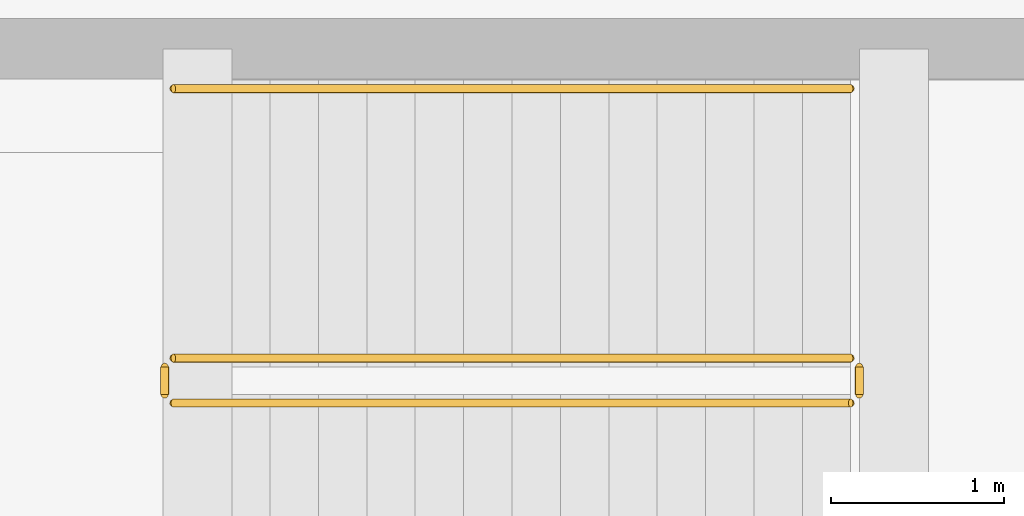
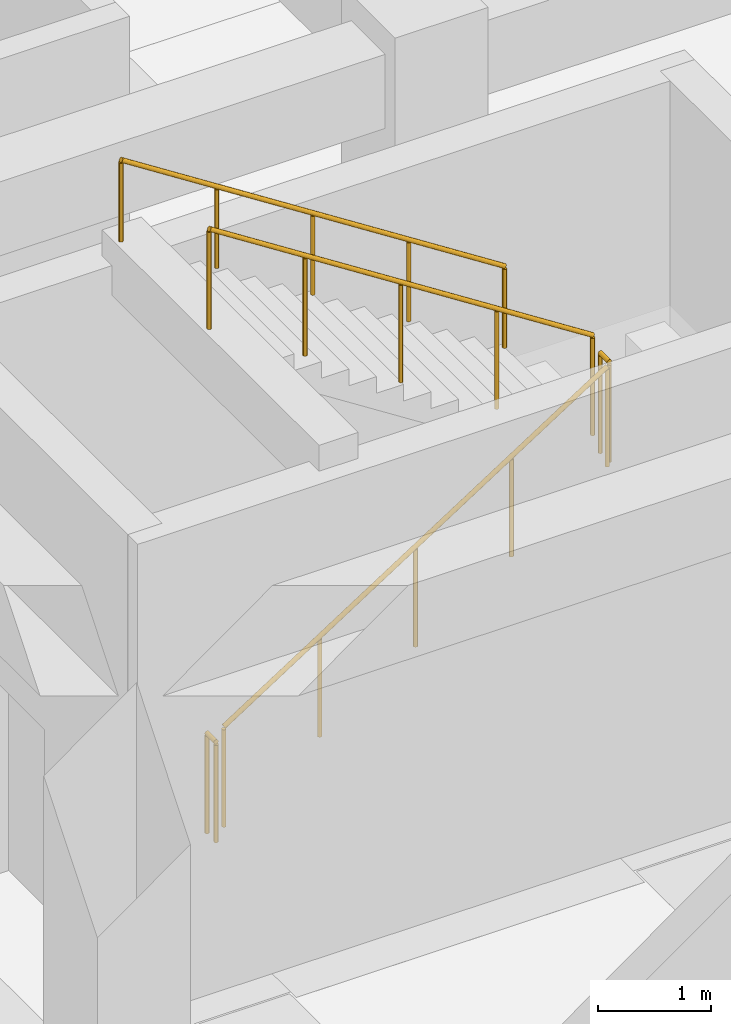
# One storey, part 22 of 26: 5 railings.
"""IFC4 building model written with IfcOpenShell, lengths in metres."""

from ifc_helpers import new_model, si_unit, direction, frame, origin, origin_2d, place, context, subcontext, project, spatial, circle, extrude, material, type_object, element, save


model = new_model("IFC4")

# Units and contexts
model_context = context("Model", 3, precision=1e-05, world=origin(), true_north=direction((0.0, 1.0)))
body_context = subcontext(model_context, "Body", "Model", "MODEL_VIEW")
ifc_project = project(units=[si_unit("LENGTHUNIT", "METRE"), si_unit("AREAUNIT", "SQUARE_METRE"), si_unit("VOLUMEUNIT", "CUBIC_METRE"), si_unit("PLANEANGLEUNIT", "RADIAN"), si_unit("MASSUNIT", "GRAM", prefix="KILO")], contexts=[model_context])

# Site, building, storey
site_placement = place(None, origin())
site = spatial("IfcSite", under=ifc_project, at=site_placement, CompositionType="ELEMENT")
building_placement = place(site_placement, origin())
building = spatial("IfcBuilding", under=site, at=building_placement, Name="Kazehaya Institute of Natural Sciences", CompositionType="ELEMENT")
storey_placement = place(building_placement, frame((0.0, 0.0, -5.39990234375)))
storey = spatial("IfcBuildingStorey", under=building, at=storey_placement, Name="B1", CompositionType="ELEMENT", Elevation=-5.39990234375)

# Railings
ifc_material_1 = material(Name="Structural steel SN490B", Category="steel")
railing_type_1 = type_object("IfcRailingType", Name="RL-STAIR-GRD", PredefinedType="GUARDRAIL", material=ifc_material_1)
railing_1_placement = place(storey_placement, frame((64.860107421875, 24.610107421875, 0.179931640625)))
element("IfcRailing", 1, at=railing_1_placement, inside=storey, type_object=railing_type_1, Name="B1 ST-1 stair guard 1", PredefinedType="GUARDRAIL", context=body_context, shape_type="SweptSolid", body=[
    extrude(circle(Radius=0.02392578125, at=origin_2d()), frame((0.0, 0.0, 1.076171875), z_axis=(0.841171666519, 0.0, 0.540768182723), x_axis=(0.0, 1.0, 0.0)), (0.0, 0.0, 1.0), 4.66015625),
    extrude(circle(Radius=0.02099609375, at=origin_2d()), origin(), (0.0, 0.0, 1.0), 1.052001953125),
    extrude(circle(Radius=0.02099609375, at=origin_2d()), frame((0.97998046875, 0.0, 0.6298828125)), (0.0, 0.0, 1.0), 1.052001953125),
    extrude(circle(Radius=0.02099609375, at=origin_2d()), frame((1.9599609375, 0.0, 1.260009765625)), (0.0, 0.0, 1.0), 1.052001953125),
    extrude(circle(Radius=0.02099609375, at=origin_2d()), frame((2.93994140625, 0.0, 1.89013671875)), (0.0, 0.0, 1.0), 1.052001953125),
    extrude(circle(Radius=0.02099609375, at=origin_2d()), frame((3.919921875, 0.0, 2.52001953125)), (0.0, 0.0, 1.0), 1.052001953125),
])
railing_2_placement = place(storey_placement, frame((68.830078125, 24.659912109375, 2.699951171875)))
element("IfcRailing", 2, at=railing_2_placement, inside=storey, type_object=railing_type_1, Name="B1 ST-1 stair guard 2", PredefinedType="GUARDRAIL", context=body_context, shape_type="SweptSolid", body=[
    extrude(circle(Radius=0.02392578125, at=origin_2d()), frame((0.0, 0.0, 1.076171875), z_axis=(0.0, 1.0, 0.0), x_axis=(-1.0, 0.0, 0.0)), (0.0, 0.0, 1.0), 0.16015625),
    extrude(circle(Radius=0.02099609375, at=origin_2d()), origin(), (0.0, 0.0, 1.0), 1.052001953125),
    extrude(circle(Radius=0.02099609375, at=origin_2d()), frame((0.0, 0.16015625, 0.0)), (0.0, 0.0, 1.0), 1.052001953125),
])
railing_3_placement = place(storey_placement, frame((68.780029296875, 24.8701171875, 2.8798828125)))
element("IfcRailing", 3, at=railing_3_placement, inside=storey, type_object=railing_type_1, Name="B1 ST-1 stair guard 3", PredefinedType="GUARDRAIL", context=body_context, shape_type="SweptSolid", body=[
    extrude(circle(Radius=0.02392578125, at=origin_2d()), frame((0.0, 0.0, 1.076171875), z_axis=(-0.841171666519, 0.0, 0.540768182723), x_axis=(0.0, -1.0, 0.0)), (0.0, 0.0, 1.0), 4.66015625),
    extrude(circle(Radius=0.02099609375, at=origin_2d()), origin(), (0.0, 0.0, 1.0), 1.052001953125),
    extrude(circle(Radius=0.02099609375, at=origin_2d()), frame((-0.97998046875, 0.0, 0.6298828125)), (0.0, 0.0, 1.0), 1.052001953125),
    extrude(circle(Radius=0.02099609375, at=origin_2d()), frame((-1.9599609375, 0.0, 1.260009765625)), (0.0, 0.0, 1.0), 1.052001953125),
    extrude(circle(Radius=0.02099609375, at=origin_2d()), frame((-2.93994140625, 0.0, 1.89013671875)), (0.0, 0.0, 1.0), 1.052001953125),
    extrude(circle(Radius=0.02099609375, at=origin_2d()), frame((-3.919921875, 0.0, 2.52001953125)), (0.0, 0.0, 1.0), 1.052001953125),
])
railing_4_placement = place(storey_placement, frame((64.81005859375, 24.659912109375, 0.0)))
element("IfcRailing", 4, at=railing_4_placement, inside=storey, type_object=railing_type_1, Name="B1 ST-1 stair guard 4", PredefinedType="GUARDRAIL", context=body_context, shape_type="SweptSolid", body=[
    extrude(circle(Radius=0.02392578125, at=origin_2d()), frame((0.0, 0.0, 1.076171875), z_axis=(0.0, 1.0, 0.0), x_axis=(-1.0, 0.0, 0.0)), (0.0, 0.0, 1.0), 0.16015625),
    extrude(circle(Radius=0.02099609375, at=origin_2d()), origin(), (0.0, 0.0, 1.0), 1.052001953125),
    extrude(circle(Radius=0.02099609375, at=origin_2d()), frame((0.0, 0.16015625, 0.0)), (0.0, 0.0, 1.0), 1.052001953125),
])
ifc_material_2 = material(Name="Brushed stainless steel handrail", Category="steel")
railing_type_2 = type_object("IfcRailingType", Name="RL-STAIR-HND", PredefinedType="HANDRAIL", material=ifc_material_2)
railing_5_placement = place(storey_placement, frame((68.780029296875, 26.429931640625, 2.8798828125)))
element("IfcRailing", 5, at=railing_5_placement, inside=storey, type_object=railing_type_2, Name="B1 ST-1 stair handrail 2", PredefinedType="HANDRAIL", context=body_context, shape_type="SweptSolid", body=[
    extrude(circle(Radius=0.02392578125, at=origin_2d()), frame((0.0, 0.0, 0.8759765625), z_axis=(-0.841171666519, 0.0, 0.540768182723), x_axis=(0.0, -1.0, 0.0)), (0.0, 0.0, 1.0), 4.66015625),
    extrude(circle(Radius=0.02099609375, at=origin_2d()), origin(), (0.0, 0.0, 1.0), 0.851806640625),
    extrude(circle(Radius=0.02099609375, at=origin_2d()), frame((-0.97998046875, 0.0, 0.6298828125)), (0.0, 0.0, 1.0), 0.851806640625),
    extrude(circle(Radius=0.02099609375, at=origin_2d()), frame((-1.9599609375, 0.0, 1.260009765625)), (0.0, 0.0, 1.0), 0.851806640625),
    extrude(circle(Radius=0.02099609375, at=origin_2d()), frame((-2.93994140625, 0.0, 1.89013671875)), (0.0, 0.0, 1.0), 0.851806640625),
    extrude(circle(Radius=0.02099609375, at=origin_2d()), frame((-3.919921875, 0.0, 2.52001953125)), (0.0, 0.0, 1.0), 0.851806640625),
])

save(model, "model.ifc")
